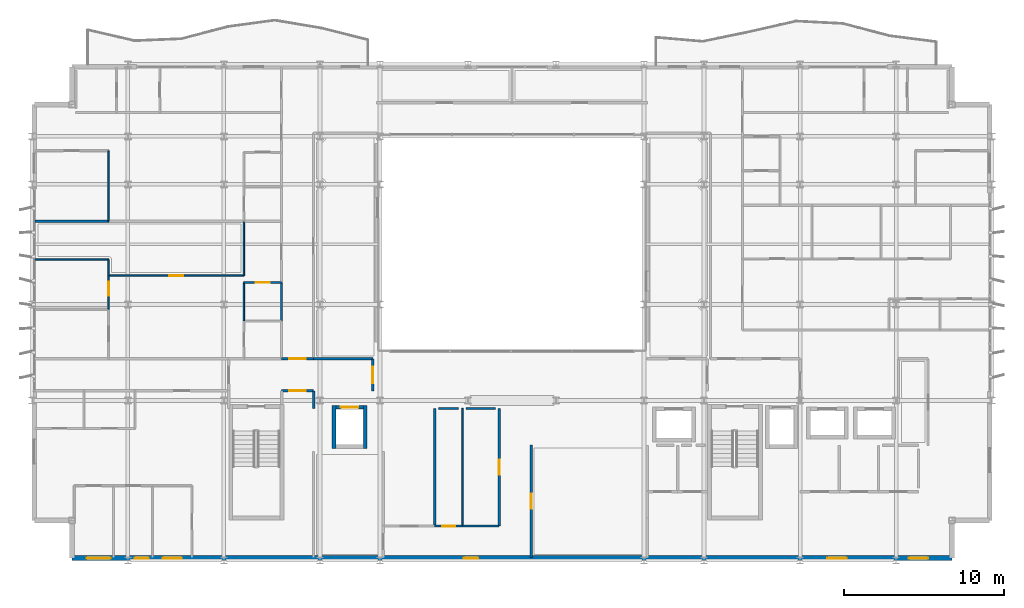
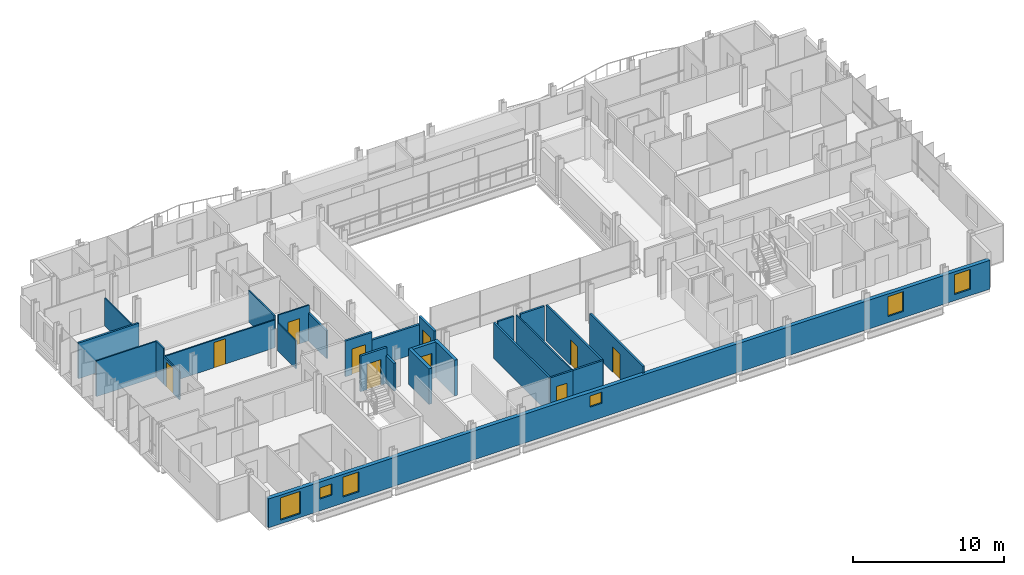
# One storey, part 30 of 40: 27 walls, 10 doors, 6 windows, 16 openings.
"""IFC4 building model written with IfcOpenShell, lengths in metres."""

from ifc_helpers import new_model, si_unit, direction, frame, frame_2d, origin, place, context, subcontext, project, spatial, rectangle, extrude, material, layer, layer_set, type_object, element, fill, save


model = new_model("IFC4")

# Units and contexts
model_context = context("Model", 3, precision=1e-05, world=origin(), true_north=direction((0.0, 1.0)))
body_context = subcontext(model_context, "Body", "Model", "MODEL_VIEW")
ifc_project = project(units=[si_unit("LENGTHUNIT", "METRE"), si_unit("AREAUNIT", "SQUARE_METRE"), si_unit("VOLUMEUNIT", "CUBIC_METRE"), si_unit("PLANEANGLEUNIT", "RADIAN"), si_unit("MASSUNIT", "GRAM", prefix="KILO")], contexts=[model_context])

# Site, building, storey
site_placement = place(None, origin())
site = spatial("IfcSite", under=ifc_project, at=site_placement, CompositionType="ELEMENT")
building_placement = place(site_placement, origin())
building = spatial("IfcBuilding", under=site, at=building_placement, Name="Brevholm Reach", CompositionType="ELEMENT")
storey_placement = place(building_placement, frame((0.0, 0.0, 160.39990234375)))
storey = spatial("IfcBuildingStorey", under=building, at=storey_placement, Name="L48", CompositionType="ELEMENT", Elevation=160.39990234375)

# Walls
ifc_material_1 = material(Name="Concrete C45/55", Category="concrete")
ifc_layer_1 = layer(ifc_material_1, 0.239990234375)
ifc_layer_set_1 = layer_set([ifc_layer_1], Name="Concrete C45/55")
wall_type_1 = type_object("IfcWallType", Name="WAL-COR-240", PredefinedType="SHEAR", material=ifc_layer_set_1)
for number, where, z_axis, x_axis, name in (
    (1, (18.8701171875, 7.0, 0.0), (0.0, 0.0, 1.0), (0.0, 1.0, 0.0), "L48 Lift FFL-1 Shaft Wall W"),
    (2, (20.830078125, 7.0, 0.0), (0.0, 0.0, 1.0), (0.0, 1.0, 0.0), "L48 Lift FFL-1 Shaft Wall E"),
):
    element("IfcWall", number, at=place(storey_placement, frame(where, z_axis=z_axis, x_axis=x_axis)), inside=storey, type_object=wall_type_1, Name=name, PredefinedType="SHEAR", context=body_context, shape_type="SweptSolid", body=[
        extrude(rectangle(XDim=2.699951171875, YDim=0.239990234375, at=frame_2d((1.35009765625, 0.0))), origin(), (0.0, 0.0, 1.0), 2.880126953125),
    ])

# Wall, opening, door
wall_1_placement = place(storey_placement, frame((18.989990234375, 9.580078125, 0.0), z_axis=(0.0, 0.0, 1.0), x_axis=(1.0, 0.0, 0.0)))
wall_1 = element("IfcWall", 3, at=wall_1_placement, inside=storey, type_object=wall_type_1, Name="L48 Lift FFL-1 Shaft Wall N", PredefinedType="SHEAR", context=body_context, shape_type="SweptSolid", body=[
    extrude(rectangle(XDim=1.719970703125, YDim=0.239990234375, at=frame_2d((0.85986328125, 0.0))), origin(), (0.0, 0.0, 1.0), 2.880126953125),
])
opening_1_placement = place(wall_1_placement, frame((0.31005859375, 0.0, 0.0)))
opening_1 = element("IfcOpeningElement", 4, at=opening_1_placement, cuts=wall_1, Name="Opening LD-FFL-1", PredefinedType="OPENING", context=body_context, shape_type="SweptSolid", body=[
    extrude(rectangle(XDim=1.10009765625, YDim=2.06005859375, at=frame_2d((0.550048828125, 1.030029296875))), frame((0.0, 0.1298828125, 0.0), z_axis=(0.0, -1.0, 0.0), x_axis=(1.0, 0.0, 0.0)), (0.0, 0.0, 1.0), 0.260009765625),
])
ifc_material_2 = material(Name="Brushed Stainless Steel Fire-Rated Sliding Lift Door", Category="steel")
door_type_1 = type_object("IfcDoorType", Name="DOR-LFT-1100", OperationType="NOTDEFINED", PredefinedType="DOOR", material=ifc_material_2)
door_1_placement = place(opening_1_placement, origin())
door_1 = element("IfcDoor", 5, at=door_1_placement, inside=storey, type_object=door_type_1, Name="L48 Lift FFL-1 Sliding Landing Door", OperationType="SLIDING_TO_RIGHT", OverallHeight=2.06005859375, OverallWidth=1.10009765625, PredefinedType="DOOR", context=body_context, shape_type="SweptSolid", body=[
    extrude(rectangle(XDim=1.10009765625, YDim=2.06005859375, at=frame_2d((0.550048828125, 1.030029296875))), frame((0.0, 0.02490234375, 0.0), z_axis=(0.0, -1.0, 0.0), x_axis=(1.0, 0.0, 0.0)), (0.0, 0.0, 1.0), 0.050048828125),
])
fill(opening_1, door_1)

# Wall, openings, windows
ifc_material_3 = material(Name="Concrete C40/50", Category="concrete")
ifc_layer_2 = layer(ifc_material_3, 0.300048828125)
ifc_layer_set_2 = layer_set([ifc_layer_2], Name="Concrete C40/50")
wall_type_2 = type_object("IfcWallType", Name="WAL-EXT-300", PredefinedType="STANDARD", material=ifc_layer_set_2)
wall_2_placement = place(storey_placement, frame((2.5, 0.14990234375, 0.0), z_axis=(0.0, 0.0, 1.0), x_axis=(1.0, 0.0, 0.0)))
wall_2 = element("IfcWall", 6, at=wall_2_placement, inside=storey, type_object=wall_type_2, Name="L48 Facade Wall WAL-L48-S", PredefinedType="STANDARD", context=body_context, shape_type="SweptSolid", body=[
    extrude(rectangle(XDim=55.0, YDim=0.300048828125, at=frame_2d((27.5, 0.0))), origin(), (0.0, 0.0, 1.0), 2.322021484375),
])
opening_2_placement = place(wall_2_placement, frame((0.919921875, 0.0, 0.302001953125)))
opening_2 = element("IfcOpeningElement", 7, at=opening_2_placement, cuts=wall_2, Name="Opening WN-05", PredefinedType="OPENING", context=body_context, shape_type="SweptSolid", body=[
    extrude(rectangle(XDim=1.5, YDim=1.800048828125, at=frame_2d((0.75, 0.89990234375))), frame((0.0, 0.159912109375, 0.0), z_axis=(0.0, -1.0, 0.0), x_axis=(1.0, 0.0, 0.0)), (0.0, 0.0, 1.0), 0.320068359375),
])
opening_3_placement = place(wall_2_placement, frame((24.5, 0.0, 1.14990234375)))
opening_3 = element("IfcOpeningElement", 8, at=opening_3_placement, cuts=wall_2, Name="Opening WN-09", PredefinedType="OPENING", context=body_context, shape_type="SweptSolid", body=[
    extrude(rectangle(XDim=0.89990234375, YDim=0.89990234375, at=frame_2d((0.449951171875, 0.449951171875))), frame((0.0, 0.159912109375, 0.0), z_axis=(0.0, -1.0, 0.0), x_axis=(1.0, 0.0, 0.0)), (0.0, 0.0, 1.0), 0.320068359375),
])
opening_4_placement = place(wall_2_placement, frame((47.199951171875, 0.0, 0.501953125)))
opening_4 = element("IfcOpeningElement", 9, at=opening_4_placement, cuts=wall_2, Name="Opening WN-08", PredefinedType="OPENING", context=body_context, shape_type="SweptSolid", body=[
    extrude(rectangle(XDim=1.199951171875, YDim=1.60009765625, at=frame_2d((0.60009765625, 0.800048828125))), frame((0.0, 0.159912109375, 0.0), z_axis=(0.0, -1.0, 0.0), x_axis=(1.0, 0.0, 0.0)), (0.0, 0.0, 1.0), 0.320068359375),
])
opening_5_placement = place(wall_2_placement, frame((52.300048828125, 0.0, 0.501953125)))
opening_5 = element("IfcOpeningElement", 10, at=opening_5_placement, cuts=wall_2, Name="Opening WN-08", PredefinedType="OPENING", context=body_context, shape_type="SweptSolid", body=[
    extrude(rectangle(XDim=1.199951171875, YDim=1.60009765625, at=frame_2d((0.60009765625, 0.800048828125))), frame((0.0, 0.159912109375, 0.0), z_axis=(0.0, -1.0, 0.0), x_axis=(1.0, 0.0, 0.0)), (0.0, 0.0, 1.0), 0.320068359375),
])
opening_6_placement = place(wall_2_placement, frame((3.914794921875, 0.0, 0.949951171875)))
opening_6 = element("IfcOpeningElement", 11, at=opening_6_placement, cuts=wall_2, Name="Opening WN-09", PredefinedType="OPENING", context=body_context, shape_type="SweptSolid", body=[
    extrude(rectangle(XDim=0.89990234375, YDim=0.89990234375, at=frame_2d((0.449951171875, 0.449951171875))), frame((0.0, 0.159912109375, 0.0), z_axis=(0.0, -1.0, 0.0), x_axis=(1.0, 0.0, 0.0)), (0.0, 0.0, 1.0), 0.320068359375),
])
opening_7_placement = place(wall_2_placement, frame((5.675048828125, 0.0, 0.501953125)))
opening_7 = element("IfcOpeningElement", 12, at=opening_7_placement, cuts=wall_2, Name="Opening WN-08", PredefinedType="OPENING", context=body_context, shape_type="SweptSolid", body=[
    extrude(rectangle(XDim=1.199951171875, YDim=1.60009765625, at=frame_2d((0.60009765625, 0.800048828125))), frame((0.0, 0.159912109375, 0.0), z_axis=(0.0, -1.0, 0.0), x_axis=(1.0, 0.0, 0.0)), (0.0, 0.0, 1.0), 0.320068359375),
])
ifc_material_4 = material(Name="Dark Anodised Aluminium and Solar-Control IGU Glass", Category="aluminium")
window_type_1 = type_object("IfcWindowType", Name="WIN-POR-0900", PartitioningType="SINGLE_PANEL", PredefinedType="WINDOW", material=ifc_material_4)
window_1_placement = place(opening_3_placement, origin())
window_1 = element("IfcWindow", 13, at=window_1_placement, inside=storey, type_object=window_type_1, Name="L48 Window WIN-L48-S-POR", OverallHeight=0.89990234375, OverallWidth=0.89990234375, PartitioningType="SINGLE_PANEL", PredefinedType="WINDOW", context=body_context, shape_type="SweptSolid", body=[
    extrude(rectangle(XDim=0.89990234375, YDim=0.89990234375, at=frame_2d((0.449951171875, 0.449951171875))), frame((0.0, 0.030029296875, 0.0), z_axis=(0.0, -1.0, 0.0), x_axis=(1.0, 0.0, 0.0)), (0.0, 0.0, 1.0), 0.06005859375),
])
fill(opening_3, window_1)
window_2_placement = place(opening_6_placement, origin())
window_2 = element("IfcWindow", 14, at=window_2_placement, inside=storey, type_object=window_type_1, Name="L48 Bedroom Window 048", OverallHeight=0.89990234375, OverallWidth=0.89990234375, PartitioningType="SINGLE_PANEL", PredefinedType="WINDOW", context=body_context, shape_type="SweptSolid", body=[
    extrude(rectangle(XDim=0.89990234375, YDim=0.89990234375, at=frame_2d((0.449951171875, 0.449951171875))), frame((0.0, 0.030029296875, 0.0), z_axis=(0.0, -1.0, 0.0), x_axis=(1.0, 0.0, 0.0)), (0.0, 0.0, 1.0), 0.06005859375),
])
fill(opening_6, window_2)
ifc_material_5 = material(Name="Dark Anodised Aluminium and Solar-Control IGU Glass", Category="aluminium")
window_type_2 = type_object("IfcWindowType", Name="WIN-RES-1200", PartitioningType="SINGLE_PANEL", PredefinedType="WINDOW", material=ifc_material_5)
window_3_placement = place(opening_4_placement, origin())
window_3 = element("IfcWindow", 15, at=window_3_placement, inside=storey, type_object=window_type_2, Name="L48 Window WIN-L48-S-E1", OverallHeight=1.60009765625, OverallWidth=1.199951171875, PartitioningType="SINGLE_PANEL", PredefinedType="WINDOW", context=body_context, shape_type="SweptSolid", body=[
    extrude(rectangle(XDim=1.199951171875, YDim=1.60009765625, at=frame_2d((0.60009765625, 0.800048828125))), frame((0.0, 0.030029296875, 0.0), z_axis=(0.0, -1.0, 0.0), x_axis=(1.0, 0.0, 0.0)), (0.0, 0.0, 1.0), 0.06005859375),
])
fill(opening_4, window_3)
window_4_placement = place(opening_5_placement, origin())
window_4 = element("IfcWindow", 16, at=window_4_placement, inside=storey, type_object=window_type_2, Name="L48 Window WIN-L48-S-E2", OverallHeight=1.60009765625, OverallWidth=1.199951171875, PartitioningType="SINGLE_PANEL", PredefinedType="WINDOW", context=body_context, shape_type="SweptSolid", body=[
    extrude(rectangle(XDim=1.199951171875, YDim=1.60009765625, at=frame_2d((0.60009765625, 0.800048828125))), frame((0.0, 0.030029296875, 0.0), z_axis=(0.0, -1.0, 0.0), x_axis=(1.0, 0.0, 0.0)), (0.0, 0.0, 1.0), 0.06005859375),
])
fill(opening_5, window_4)
window_5_placement = place(opening_7_placement, origin())
window_5 = element("IfcWindow", 17, at=window_5_placement, inside=storey, type_object=window_type_2, Name="L48 Bedroom Window 049", OverallHeight=1.60009765625, OverallWidth=1.199951171875, PartitioningType="SINGLE_PANEL", PredefinedType="WINDOW", context=body_context, shape_type="SweptSolid", body=[
    extrude(rectangle(XDim=1.199951171875, YDim=1.60009765625, at=frame_2d((0.60009765625, 0.800048828125))), frame((0.0, 0.030029296875, 0.0), z_axis=(0.0, -1.0, 0.0), x_axis=(1.0, 0.0, 0.0)), (0.0, 0.0, 1.0), 0.06005859375),
])
fill(opening_7, window_5)
ifc_material_6 = material(Name="Dark Anodised Aluminium and Solar-Control IGU Glass", Category="aluminium")
window_type_3 = type_object("IfcWindowType", Name="WIN-RES-1500", PartitioningType="SINGLE_PANEL", PredefinedType="WINDOW", material=ifc_material_6)
window_6_placement = place(opening_2_placement, origin())
window_6 = element("IfcWindow", 18, at=window_6_placement, inside=storey, type_object=window_type_3, Name="L48 Window WIN-L48-S-W1", OverallHeight=1.800048828125, OverallWidth=1.5, PartitioningType="SINGLE_PANEL", PredefinedType="WINDOW", context=body_context, shape_type="SweptSolid", body=[
    extrude(rectangle(XDim=1.5, YDim=1.800048828125, at=frame_2d((0.75, 0.89990234375))), frame((0.0, 0.030029296875, 0.0), z_axis=(0.0, -1.0, 0.0), x_axis=(1.0, 0.0, 0.0)), (0.0, 0.0, 1.0), 0.06005859375),
])
fill(opening_2, window_6)

# Wall
ifc_material_7 = material(Name="Moisture-Resistant Acoustic Gypsum Stud Partition 100 mm", Category="gypsum")
ifc_layer_3 = layer(ifc_material_7, 0.10009765625)
ifc_layer_set_3 = layer_set([ifc_layer_3], Name="Moisture-Resistant Acoustic Gypsum Stud Partition 100 mm")
wall_type_3 = type_object("IfcWallType", Name="WAL-PRT-100", PredefinedType="PARTITIONING", material=ifc_layer_set_3)
wall_3_placement = place(storey_placement, frame((26.89990234375, 2.154052734375, 0.0), z_axis=(0.0, 0.0, 1.0), x_axis=(0.0, 1.0, 0.0)))
element("IfcWall", 19, at=wall_3_placement, inside=storey, type_object=wall_type_3, Name="L48 Internal Partition 009", PredefinedType="PARTITIONING", context=body_context, shape_type="SweptSolid", body=[
    extrude(rectangle(XDim=7.345947265625, YDim=0.10009765625, at=frame_2d((3.6728515625, 0.0))), origin(), (0.0, 0.0, 1.0), 2.880126953125),
])

# Wall, opening, door
wall_4_placement = place(storey_placement, frame((13.25, 17.3701171875, 0.0), z_axis=(0.0, 0.0, 1.0), x_axis=(1.0, 0.0, 0.0)))
wall_4 = element("IfcWall", 20, at=wall_4_placement, inside=storey, type_object=wall_type_3, Name="L48 Internal Partition 081", PredefinedType="PARTITIONING", context=body_context, shape_type="SweptSolid", body=[
    extrude(rectangle(XDim=2.345947265625, YDim=0.10009765625, at=frame_2d((1.1728515625, 0.0))), origin(), (0.0, 0.0, 1.0), 2.880126953125),
])
opening_8_placement = place(wall_4_placement, frame((0.73291015625, 0.0, 0.0)))
opening_8 = element("IfcOpeningElement", 21, at=opening_8_placement, cuts=wall_4, Name="Opening ID-01", PredefinedType="OPENING", context=body_context, shape_type="SweptSolid", body=[
    extrude(rectangle(XDim=0.8798828125, YDim=2.0400390625, at=frame_2d((0.43994140625, 1.02001953125))), frame((0.0, 0.06005859375, 0.0), z_axis=(0.0, -1.0, 0.0), x_axis=(1.0, 0.0, 0.0)), (0.0, 0.0, 1.0), 0.1201171875),
])
ifc_material_8 = material(Name="Lacquered Ash Solid-Core Acoustic Internal Door", Category="timber")
door_type_2 = type_object("IfcDoorType", Name="DOR-INT-880", OperationType="NOTDEFINED", PredefinedType="DOOR", material=ifc_material_8)
door_2_placement = place(opening_8_placement, origin())
door_2 = element("IfcDoor", 22, at=door_2_placement, inside=storey, type_object=door_type_2, Name="L48 Internal Door 037", OperationType="SINGLE_SWING_RIGHT", OverallHeight=2.0400390625, OverallWidth=0.8798828125, PredefinedType="DOOR", context=body_context, shape_type="SweptSolid", body=[
    extrude(rectangle(XDim=0.8798828125, YDim=2.0400390625, at=frame_2d((0.43994140625, 1.02001953125))), frame((0.0, 0.02490234375, 0.0), z_axis=(0.0, -1.0, 0.0), x_axis=(1.0, 0.0, 0.0)), (0.0, 0.0, 1.0), 0.050048828125),
])
fill(opening_8, door_2)

# Walls
wall_5_placement = place(storey_placement, frame((13.25, 14.966064453125, 0.0), z_axis=(0.0, 0.0, 1.0), x_axis=(0.0, 1.0, 0.0)))
element("IfcWall", 23, at=wall_5_placement, inside=storey, type_object=wall_type_3, Name="L48 Internal Partition 082", PredefinedType="PARTITIONING", context=body_context, shape_type="SweptSolid", body=[
    extrude(rectangle(XDim=2.404052734375, YDim=0.10009765625, at=frame_2d((1.2021484375, 0.0))), origin(), (0.0, 0.0, 1.0), 2.242919921875),
])
wall_6_placement = place(storey_placement, frame((4.800048828125, 17.788818359375, 0.0), z_axis=(0.0, 0.0, 1.0), x_axis=(0.0, 1.0, 0.0)))
element("IfcWall", 24, at=wall_6_placement, inside=storey, type_object=wall_type_3, Name="L48 Internal Partition 085", PredefinedType="PARTITIONING", context=body_context, shape_type="SweptSolid", body=[
    extrude(rectangle(XDim=1.01123046875, YDim=0.10009765625, at=frame_2d((0.505615234375, 0.0))), origin(), (0.0, 0.0, 1.0), 2.880126953125),
])
wall_7_placement = place(storey_placement, frame((0.199951171875, 18.800048828125, 0.0), z_axis=(0.0, 0.0, 1.0), x_axis=(1.0, 0.0, 0.0)))
element("IfcWall", 25, at=wall_7_placement, inside=storey, type_object=wall_type_3, Name="L48 Internal Partition 086", PredefinedType="PARTITIONING", context=body_context, shape_type="SweptSolid", body=[
    extrude(rectangle(XDim=4.60009765625, YDim=0.10009765625, at=frame_2d((2.300048828125, 0.0))), origin(), (0.0, 0.0, 1.0), 2.880126953125),
])

# Wall, opening, door
wall_8_placement = place(storey_placement, frame((4.800048828125, 15.7041015625, 0.0), z_axis=(0.0, 0.0, 1.0), x_axis=(0.0, 1.0, 0.0)))
wall_8 = element("IfcWall", 26, at=wall_8_placement, inside=storey, type_object=wall_type_3, Name="L48 Internal Partition 087", PredefinedType="PARTITIONING", context=body_context, shape_type="SweptSolid", body=[
    extrude(rectangle(XDim=2.103271484375, YDim=0.10009765625, at=frame_2d((1.0517578125, 0.0))), origin(), (0.0, 0.0, 1.0), 2.242919921875),
])
opening_9_placement = place(wall_8_placement, frame((0.831787109375, 0.0, 0.0)))
opening_9 = element("IfcOpeningElement", 27, at=opening_9_placement, cuts=wall_8, Name="Opening ID-01", PredefinedType="OPENING", context=body_context, shape_type="SweptSolid", body=[
    extrude(rectangle(XDim=0.8798828125, YDim=2.0400390625, at=frame_2d((0.43994140625, 1.02001953125))), frame((0.0, 0.06005859375, 0.0), z_axis=(0.0, -1.0, 0.0), x_axis=(1.0, 0.0, 0.0)), (0.0, 0.0, 1.0), 0.1201171875),
])
door_3_placement = place(opening_9_placement, origin())
door_3 = element("IfcDoor", 28, at=door_3_placement, inside=storey, type_object=door_type_2, Name="L48 Internal Door 039", OperationType="SINGLE_SWING_RIGHT", OverallHeight=2.0400390625, OverallWidth=0.8798828125, PredefinedType="DOOR", context=body_context, shape_type="SweptSolid", body=[
    extrude(rectangle(XDim=0.8798828125, YDim=2.0400390625, at=frame_2d((0.43994140625, 1.02001953125))), frame((0.0, 0.02490234375, 0.0), z_axis=(0.0, -1.0, 0.0), x_axis=(1.0, 0.0, 0.0)), (0.0, 0.0, 1.0), 0.050048828125),
])
fill(opening_9, door_3)

wall_9_placement = place(storey_placement, frame((4.803955078125, 17.800048828125, 0.0), z_axis=(0.0, 0.0, 1.0), x_axis=(1.0, 0.0, 0.0)))
wall_9 = element("IfcWall", 29, at=wall_9_placement, inside=storey, type_object=wall_type_3, Name="L48 Internal Partition 088", PredefinedType="PARTITIONING", context=body_context, shape_type="SweptSolid", body=[
    extrude(rectangle(XDim=8.446044921875, YDim=0.10009765625, at=frame_2d((4.22314453125, 0.0))), origin(), (0.0, 0.0, 1.0), 2.242919921875),
])
opening_10_placement = place(wall_9_placement, frame((3.782958984375, 0.0, 0.0)))
opening_10 = element("IfcOpeningElement", 30, at=opening_10_placement, cuts=wall_9, Name="Opening ID-01", PredefinedType="OPENING", context=body_context, shape_type="SweptSolid", body=[
    extrude(rectangle(XDim=0.8798828125, YDim=2.0400390625, at=frame_2d((0.43994140625, 1.02001953125))), frame((0.0, 0.06005859375, 0.0), z_axis=(0.0, -1.0, 0.0), x_axis=(1.0, 0.0, 0.0)), (0.0, 0.0, 1.0), 0.1201171875),
])
door_4_placement = place(opening_10_placement, origin())
door_4 = element("IfcDoor", 31, at=door_4_placement, inside=storey, type_object=door_type_2, Name="L48 Internal Door 040", OperationType="SINGLE_SWING_LEFT", OverallHeight=2.0400390625, OverallWidth=0.8798828125, PredefinedType="DOOR", context=body_context, shape_type="SweptSolid", body=[
    extrude(rectangle(XDim=0.8798828125, YDim=2.0400390625, at=frame_2d((0.43994140625, 1.02001953125))), frame((0.0, 0.02490234375, 0.0), z_axis=(0.0, -1.0, 0.0), x_axis=(1.0, 0.0, 0.0)), (0.0, 0.0, 1.0), 0.050048828125),
])
fill(opening_10, door_4)

# Walls
wall_10_placement = place(storey_placement, frame((13.25, 17.800048828125, 0.0), z_axis=(0.0, 0.0, 1.0), x_axis=(0.0, 1.0, 0.0)))
element("IfcWall", 32, at=wall_10_placement, inside=storey, type_object=wall_type_3, Name="L48 Internal Partition 089", PredefinedType="PARTITIONING", context=body_context, shape_type="SweptSolid", body=[
    extrude(rectangle(XDim=3.39990234375, YDim=0.10009765625, at=frame_2d((1.699951171875, 0.0))), origin(), (0.0, 0.0, 1.0), 2.5517578125),
])
wall_11_placement = place(storey_placement, frame((4.800048828125, 21.2041015625, 0.0), z_axis=(0.0, 0.0, 1.0), x_axis=(0.0, 1.0, 0.0)))
element("IfcWall", 33, at=wall_11_placement, inside=storey, type_object=wall_type_3, Name="L48 Internal Partition 097", PredefinedType="PARTITIONING", context=body_context, shape_type="SweptSolid", body=[
    extrude(rectangle(XDim=4.39599609375, YDim=0.10009765625, at=frame_2d((2.197998046875, 0.0))), origin(), (0.0, 0.0, 1.0), 2.242919921875),
])

# Wall, opening, door
ifc_material_9 = material(Name="Twin-Stud Acoustic Fire-Rated Gypsum Partition 140 mm", Category="gypsum")
ifc_layer_4 = layer(ifc_material_9, 0.139892578125)
ifc_layer_set_4 = layer_set([ifc_layer_4], Name="Twin-Stud Acoustic Fire-Rated Gypsum Partition 140 mm")
wall_type_4 = type_object("IfcWallType", Name="WAL-PRT-140", PredefinedType="PARTITIONING", material=ifc_layer_set_4)
wall_12_placement = place(storey_placement, frame((29.199951171875, 2.142578125, 0.0), z_axis=(0.0, 0.0, 1.0), x_axis=(0.0, 1.0, 0.0)))
wall_12 = element("IfcWall", 34, at=wall_12_placement, inside=storey, type_object=wall_type_4, Name="L48 Internal Partition 001", PredefinedType="PARTITIONING", context=body_context, shape_type="SweptSolid", body=[
    extrude(rectangle(XDim=7.36865234375, YDim=0.139892578125, at=frame_2d((3.684326171875, 0.0))), origin(), (0.0, 0.0, 1.0), 2.880126953125),
])
opening_11_placement = place(wall_12_placement, frame((3.209228515625, 0.0, 0.0)))
opening_11 = element("IfcOpeningElement", 35, at=opening_11_placement, cuts=wall_12, Name="Opening ID-30", PredefinedType="OPENING", context=body_context, shape_type="SweptSolid", body=[
    extrude(rectangle(XDim=0.949951171875, YDim=2.050048828125, at=frame_2d((0.47509765625, 1.02490234375))), frame((0.0, 0.079833984375, 0.0), z_axis=(0.0, -1.0, 0.0), x_axis=(1.0, 0.0, 0.0)), (0.0, 0.0, 1.0), 0.159912109375),
])
ifc_material_10 = material(Name="European Oak Veneered Solid-Core Fire Entrance Door", Category="timber")
door_type_3 = type_object("IfcDoorType", Name="DOR-FLT-FD30S", OperationType="NOTDEFINED", PredefinedType="DOOR", material=ifc_material_10)
door_5_placement = place(opening_11_placement, origin())
door_5 = element("IfcDoor", 36, at=door_5_placement, inside=storey, type_object=door_type_3, Name="L48 Internal Door 001", OperationType="SINGLE_SWING_RIGHT", OverallHeight=2.050048828125, OverallWidth=0.949951171875, PredefinedType="DOOR", context=body_context, shape_type="SweptSolid", body=[
    extrude(rectangle(XDim=0.949951171875, YDim=2.050048828125, at=frame_2d((0.47509765625, 1.02490234375))), frame((0.0, 0.02490234375, 0.0), z_axis=(0.0, -1.0, 0.0), x_axis=(1.0, 0.0, 0.0)), (0.0, 0.0, 1.0), 0.050048828125),
])
fill(opening_11, door_5)

wall_13_placement = place(storey_placement, frame((31.199951171875, 0.179931640625, 0.0), z_axis=(0.0, 0.0, 1.0), x_axis=(0.0, 1.0, 0.0)))
wall_13 = element("IfcWall", 37, at=wall_13_placement, inside=storey, type_object=wall_type_4, Name="L48 Internal Partition 002", PredefinedType="PARTITIONING", context=body_context, shape_type="SweptSolid", body=[
    extrude(rectangle(XDim=7.03125, YDim=0.139892578125, at=frame_2d((3.515625, 0.0))), origin(), (0.0, 0.0, 1.0), 2.880126953125),
])
opening_12_placement = place(wall_13_placement, frame((3.04052734375, 0.0, 0.0)))
opening_12 = element("IfcOpeningElement", 38, at=opening_12_placement, cuts=wall_13, Name="Opening ID-30", PredefinedType="OPENING", context=body_context, shape_type="SweptSolid", body=[
    extrude(rectangle(XDim=0.949951171875, YDim=2.050048828125, at=frame_2d((0.47509765625, 1.02490234375))), frame((0.0, 0.079833984375, 0.0), z_axis=(0.0, -1.0, 0.0), x_axis=(1.0, 0.0, 0.0)), (0.0, 0.0, 1.0), 0.159912109375),
])
door_6_placement = place(opening_12_placement, origin())
door_6 = element("IfcDoor", 39, at=door_6_placement, inside=storey, type_object=door_type_3, Name="L48 Internal Door 002", OperationType="SINGLE_SWING_LEFT", OverallHeight=2.050048828125, OverallWidth=0.949951171875, PredefinedType="DOOR", context=body_context, shape_type="SweptSolid", body=[
    extrude(rectangle(XDim=0.949951171875, YDim=2.050048828125, at=frame_2d((0.47509765625, 1.02490234375))), frame((0.0, 0.02490234375, 0.0), z_axis=(0.0, -1.0, 0.0), x_axis=(1.0, 0.0, 0.0)), (0.0, 0.0, 1.0), 0.050048828125),
])
fill(opening_12, door_6)

wall_14_placement = place(storey_placement, frame((25.172607421875, 2.14990234375, 0.0), z_axis=(0.0, 0.0, 1.0), x_axis=(1.0, 0.0, 0.0)))
wall_14 = element("IfcWall", 40, at=wall_14_placement, inside=storey, type_object=wall_type_4, Name="L48 Internal Partition 004", PredefinedType="PARTITIONING", context=body_context, shape_type="SweptSolid", body=[
    extrude(rectangle(XDim=1.73876953125, YDim=0.139892578125, at=frame_2d((0.869384765625, 0.0))), origin(), (0.0, 0.0, 1.0), 2.880126953125),
])
opening_13_placement = place(wall_14_placement, frame((0.459228515625, 0.0, 0.0)))
opening_13 = element("IfcOpeningElement", 41, at=opening_13_placement, cuts=wall_14, Name="Opening ID-02", PredefinedType="OPENING", context=body_context, shape_type="SweptSolid", body=[
    extrude(rectangle(XDim=0.820068359375, YDim=2.02001953125, at=frame_2d((0.41015625, 1.010009765625))), frame((0.0, 0.079833984375, 0.0), z_axis=(0.0, -1.0, 0.0), x_axis=(1.0, 0.0, 0.0)), (0.0, 0.0, 1.0), 0.159912109375),
])
ifc_material_11 = material(Name="Moisture-Resistant Painted Timber Fire-Rated Riser and Service Door", Category="wood")
door_type_4 = type_object("IfcDoorType", Name="DOR-SRV-820", OperationType="NOTDEFINED", PredefinedType="DOOR", material=ifc_material_11)
door_7_placement = place(opening_13_placement, origin())
door_7 = element("IfcDoor", 42, at=door_7_placement, inside=storey, type_object=door_type_4, Name="L48 Internal Door 004", OperationType="SINGLE_SWING_LEFT", OverallHeight=2.02001953125, OverallWidth=0.820068359375, PredefinedType="DOOR", context=body_context, shape_type="SweptSolid", body=[
    extrude(rectangle(XDim=0.820068359375, YDim=2.02001953125, at=frame_2d((0.41015625, 1.010009765625))), frame((0.0, 0.02490234375, 0.0), z_axis=(0.0, -1.0, 0.0), x_axis=(1.0, 0.0, 0.0)), (0.0, 0.0, 1.0), 0.050048828125),
])
fill(opening_13, door_7)

# Walls
wall_15_placement = place(storey_placement, frame((26.892578125, 2.14990234375, 0.0), z_axis=(0.0, 0.0, 1.0), x_axis=(1.0, 0.0, 0.0)))
element("IfcWall", 43, at=wall_15_placement, inside=storey, type_object=wall_type_4, Name="L48 Internal Partition 005", PredefinedType="PARTITIONING", context=body_context, shape_type="SweptSolid", body=[
    extrude(rectangle(XDim=2.303466796875, YDim=0.139892578125, at=frame_2d((1.15185546875, 0.0))), origin(), (0.0, 0.0, 1.0), 2.880126953125),
])
wall_16_placement = place(storey_placement, frame((25.179931640625, 2.154052734375, 0.0), z_axis=(0.0, 0.0, 1.0), x_axis=(0.0, 1.0, 0.0)))
element("IfcWall", 44, at=wall_16_placement, inside=storey, type_object=wall_type_4, Name="L48 Internal Partition 007", PredefinedType="PARTITIONING", context=body_context, shape_type="SweptSolid", body=[
    extrude(rectangle(XDim=7.345947265625, YDim=0.139892578125, at=frame_2d((3.6728515625, 0.0))), origin(), (0.0, 0.0, 1.0), 2.880126953125),
])
wall_17_placement = place(storey_placement, frame((15.60009765625, 14.95458984375, 0.0), z_axis=(0.0, 0.0, 1.0), x_axis=(0.0, 1.0, 0.0)))
element("IfcWall", 45, at=wall_17_placement, inside=storey, type_object=wall_type_4, Name="L48 Internal Partition 042", PredefinedType="PARTITIONING", context=body_context, shape_type="SweptSolid", body=[
    extrude(rectangle(XDim=2.4267578125, YDim=0.139892578125, at=frame_2d((1.21337890625, 0.0))), origin(), (0.0, 0.0, 1.0), 2.242919921875),
])
wall_18_placement = place(storey_placement, frame((0.199951171875, 21.199951171875, 0.0), z_axis=(0.0, 0.0, 1.0), x_axis=(1.0, 0.0, 0.0)))
element("IfcWall", 46, at=wall_18_placement, inside=storey, type_object=wall_type_4, Name="L48 Internal Partition 090", PredefinedType="PARTITIONING", context=body_context, shape_type="SweptSolid", body=[
    extrude(rectangle(XDim=4.611328125, YDim=0.139892578125, at=frame_2d((2.3056640625, 0.0))), origin(), (0.0, 0.0, 1.0), 2.880126953125),
])
wall_19_placement = place(storey_placement, frame((25.419921875, 9.5, 0.0), z_axis=(0.0, 0.0, 1.0), x_axis=(1.0, 0.0, 0.0)))
element("IfcWall", 47, at=wall_19_placement, inside=storey, type_object=wall_type_4, Name="L48 Internal Partition 132", PredefinedType="PARTITIONING", context=body_context, shape_type="SweptSolid", body=[
    extrude(rectangle(XDim=1.239990234375, YDim=0.139892578125, at=frame_2d((0.6201171875, 0.0))), origin(), (0.0, 0.0, 1.0), 2.880126953125),
])
wall_20_placement = place(storey_placement, frame((27.139892578125, 9.5, 0.0), z_axis=(0.0, 0.0, 1.0), x_axis=(1.0, 0.0, 0.0)))
element("IfcWall", 48, at=wall_20_placement, inside=storey, type_object=wall_type_4, Name="L48 Internal Partition 133", PredefinedType="PARTITIONING", context=body_context, shape_type="SweptSolid", body=[
    extrude(rectangle(XDim=1.820068359375, YDim=0.139892578125, at=frame_2d((0.91015625, 0.0))), origin(), (0.0, 0.0, 1.0), 2.880126953125),
])
ifc_material_12 = material(Name="Twin-Frame Fire-Rated Gypsum Board and Mineral Wool 160 mm", Category="gypsum")
ifc_layer_5 = layer(ifc_material_12, 0.159912109375)
ifc_layer_set_5 = layer_set([ifc_layer_5], Name="Twin-Frame Fire-Rated Gypsum Board and Mineral Wool 160 mm")
wall_type_5 = type_object("IfcWallType", Name="WAL-PRT-160", PredefinedType="PARTITIONING", material=ifc_layer_set_5)
wall_21_placement = place(storey_placement, frame((17.60009765625, 9.48876953125, 0.0), z_axis=(0.0, 0.0, 1.0), x_axis=(0.0, 1.0, 0.0)))
element("IfcWall", 49, at=wall_21_placement, inside=storey, type_object=wall_type_5, Name="L48 Internal Partition 016", PredefinedType="PARTITIONING", context=body_context, shape_type="SweptSolid", body=[
    extrude(rectangle(XDim=1.111328125, YDim=0.159912109375, at=frame_2d((0.5556640625, 0.0))), origin(), (0.0, 0.0, 1.0), 2.242919921875),
])

# Wall, opening, door
wall_22_placement = place(storey_placement, frame((15.60009765625, 10.60009765625, 0.0), z_axis=(0.0, 0.0, 1.0), x_axis=(1.0, 0.0, 0.0)))
wall_22 = element("IfcWall", 50, at=wall_22_placement, inside=storey, type_object=wall_type_5, Name="L48 Internal Partition 017", PredefinedType="PARTITIONING", context=body_context, shape_type="SweptSolid", body=[
    extrude(rectangle(XDim=2.0, YDim=0.159912109375, at=frame_2d((1.0, 0.0))), origin(), (0.0, 0.0, 1.0), 2.880126953125),
])
opening_14_placement = place(wall_22_placement, frame((0.47509765625, 0.0, 0.0)))
opening_14 = element("IfcOpeningElement", 51, at=opening_14_placement, cuts=wall_22, Name="Opening FD-01", PredefinedType="OPENING", context=body_context, shape_type="SweptSolid", body=[
    extrude(rectangle(XDim=1.050048828125, YDim=2.06005859375, at=frame_2d((0.52490234375, 1.030029296875))), frame((0.0, 0.08984375, 0.0), z_axis=(0.0, -1.0, 0.0), x_axis=(1.0, 0.0, 0.0)), (0.0, 0.0, 1.0), 0.179931640625),
])
ifc_material_13 = material(Name="Hardwood-Lipped Steel-Core Fire and Smoke Door", Category="steel")
door_type_5 = type_object("IfcDoorType", Name="DOR-INT-FD60S", OperationType="NOTDEFINED", PredefinedType="DOOR", material=ifc_material_13)
door_8_placement = place(opening_14_placement, origin())
door_8 = element("IfcDoor", 52, at=door_8_placement, inside=storey, type_object=door_type_5, Name="L48 Internal Door 007", OperationType="SINGLE_SWING_RIGHT", OverallHeight=2.06005859375, OverallWidth=1.050048828125, PredefinedType="DOOR", context=body_context, shape_type="SweptSolid", body=[
    extrude(rectangle(XDim=1.050048828125, YDim=2.06005859375, at=frame_2d((0.52490234375, 1.030029296875))), frame((0.0, 0.02490234375, 0.0), z_axis=(0.0, -1.0, 0.0), x_axis=(1.0, 0.0, 0.0)), (0.0, 0.0, 1.0), 0.050048828125),
])
fill(opening_14, door_8)

wall_23_placement = place(storey_placement, frame((21.300048828125, 10.588623046875, 0.0), z_axis=(0.0, 0.0, 1.0), x_axis=(0.0, 1.0, 0.0)))
wall_23 = element("IfcWall", 53, at=wall_23_placement, inside=storey, type_object=wall_type_5, Name="L48 Internal Partition 027", PredefinedType="PARTITIONING", context=body_context, shape_type="SweptSolid", body=[
    extrude(rectangle(XDim=2.011474609375, YDim=0.159912109375, at=frame_2d((1.005859375, 0.0))), origin(), (0.0, 0.0, 1.0), 2.880126953125),
])
opening_15_placement = place(wall_23_placement, frame((0.480712890625, 0.0, 0.0)))
opening_15 = element("IfcOpeningElement", 54, at=opening_15_placement, cuts=wall_23, Name="Opening FD-01", PredefinedType="OPENING", context=body_context, shape_type="SweptSolid", body=[
    extrude(rectangle(XDim=1.050048828125, YDim=2.06005859375, at=frame_2d((0.52490234375, 1.030029296875))), frame((0.0, 0.08984375, 0.0), z_axis=(0.0, -1.0, 0.0), x_axis=(1.0, 0.0, 0.0)), (0.0, 0.0, 1.0), 0.179931640625),
])
door_9_placement = place(opening_15_placement, origin())
door_9 = element("IfcDoor", 55, at=door_9_placement, inside=storey, type_object=door_type_5, Name="L48 Internal Door 013", OperationType="SINGLE_SWING_RIGHT", OverallHeight=2.06005859375, OverallWidth=1.050048828125, PredefinedType="DOOR", context=body_context, shape_type="SweptSolid", body=[
    extrude(rectangle(XDim=1.050048828125, YDim=2.06005859375, at=frame_2d((0.52490234375, 1.030029296875))), frame((0.0, 0.02490234375, 0.0), z_axis=(0.0, -1.0, 0.0), x_axis=(1.0, 0.0, 0.0)), (0.0, 0.0, 1.0), 0.050048828125),
])
fill(opening_15, door_9)

wall_24_placement = place(storey_placement, frame((15.588623046875, 12.60009765625, 0.0), z_axis=(0.0, 0.0, 1.0), x_axis=(1.0, 0.0, 0.0)))
wall_24 = element("IfcWall", 56, at=wall_24_placement, inside=storey, type_object=wall_type_5, Name="L48 Internal Partition 028", PredefinedType="PARTITIONING", context=body_context, shape_type="SweptSolid", body=[
    extrude(rectangle(XDim=2.022705078125, YDim=0.159912109375, at=frame_2d((1.01123046875, 0.0))), origin(), (0.0, 0.0, 1.0), 2.880126953125),
])
opening_16_placement = place(wall_24_placement, frame((0.486328125, 0.0, 0.0)))
opening_16 = element("IfcOpeningElement", 57, at=opening_16_placement, cuts=wall_24, Name="Opening FD-01", PredefinedType="OPENING", context=body_context, shape_type="SweptSolid", body=[
    extrude(rectangle(XDim=1.050048828125, YDim=2.06005859375, at=frame_2d((0.52490234375, 1.030029296875))), frame((0.0, 0.08984375, 0.0), z_axis=(0.0, -1.0, 0.0), x_axis=(1.0, 0.0, 0.0)), (0.0, 0.0, 1.0), 0.179931640625),
])
door_10_placement = place(opening_16_placement, origin())
door_10 = element("IfcDoor", 58, at=door_10_placement, inside=storey, type_object=door_type_5, Name="L48 Internal Door 014", OperationType="SINGLE_SWING_LEFT", OverallHeight=2.06005859375, OverallWidth=1.050048828125, PredefinedType="DOOR", context=body_context, shape_type="SweptSolid", body=[
    extrude(rectangle(XDim=1.050048828125, YDim=2.06005859375, at=frame_2d((0.52490234375, 1.030029296875))), frame((0.0, 0.02490234375, 0.0), z_axis=(0.0, -1.0, 0.0), x_axis=(1.0, 0.0, 0.0)), (0.0, 0.0, 1.0), 0.050048828125),
])
fill(opening_16, door_10)

# Wall
wall_25_placement = place(storey_placement, frame((17.5927734375, 12.60009765625, 0.0), z_axis=(0.0, 0.0, 1.0), x_axis=(1.0, 0.0, 0.0)))
element("IfcWall", 59, at=wall_25_placement, inside=storey, type_object=wall_type_5, Name="L48 Internal Partition 033", PredefinedType="PARTITIONING", context=body_context, shape_type="SweptSolid", body=[
    extrude(rectangle(XDim=3.707275390625, YDim=0.159912109375, at=frame_2d((1.853515625, 0.0))), origin(), (0.0, 0.0, 1.0), 2.242919921875),
])

save(model, "model.ifc")
